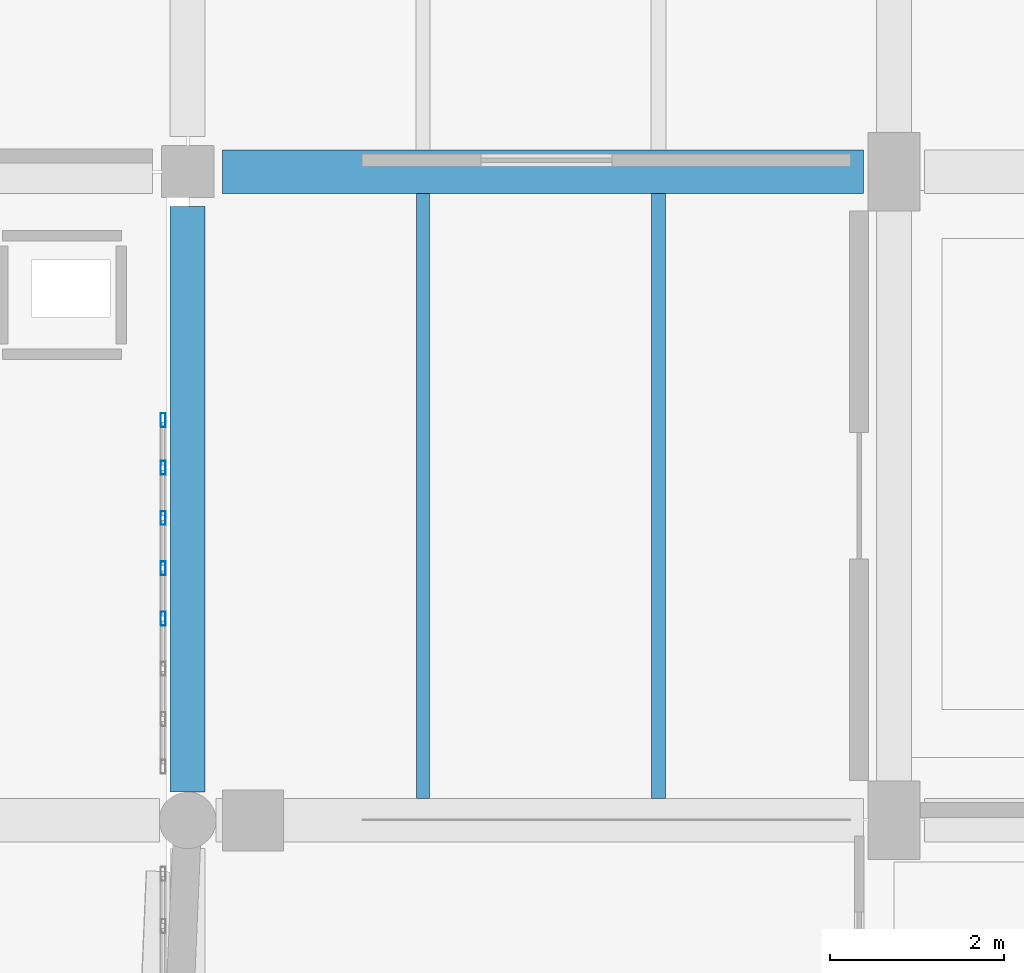
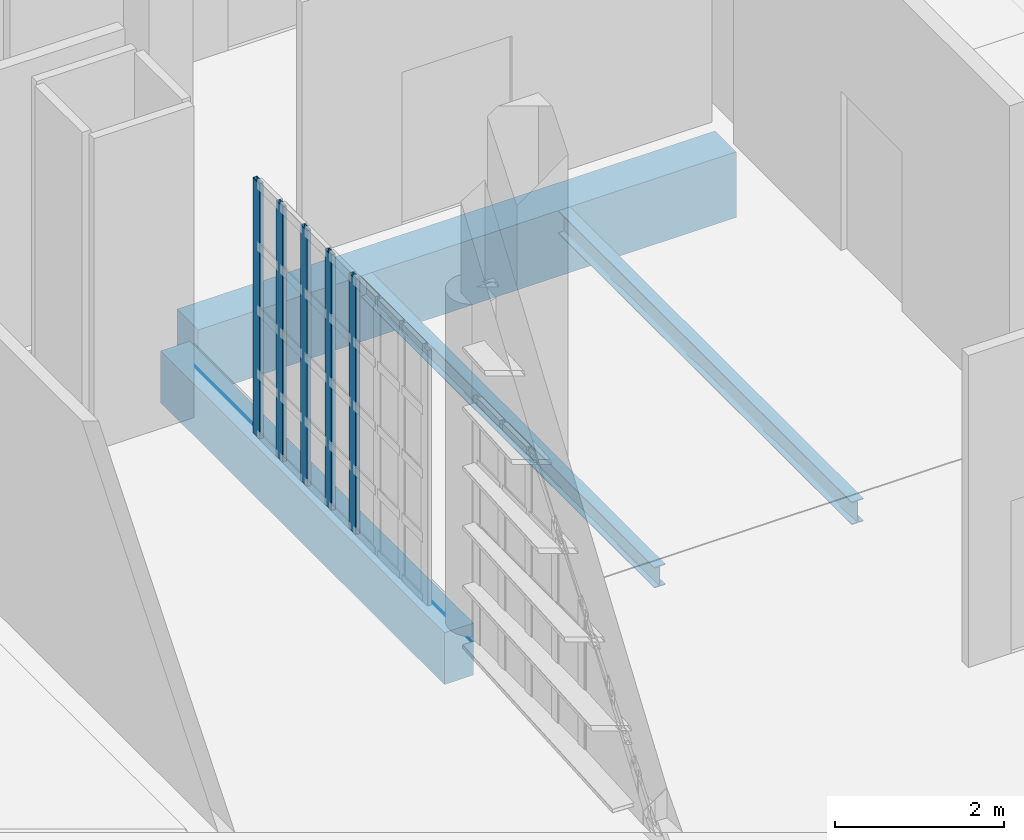
# One storey, part 44 of 104: 5 members, 4 beams, 1 element without a shape of its own.
"""IFC4 building model written with IfcOpenShell, lengths in metres."""

from ifc_helpers import new_model, si_unit, direction, frame, origin, origin_2d, place, context, subcontext, project, spatial, rectangle, hollow_rectangle, i_section, extrude, material, material_profile, profile_set, type_object, element, aggregate, save


model = new_model("IFC4")

# Units and contexts
model_context = context("Model", 3, precision=1e-05, world=origin(), true_north=direction((0.0, 1.0)))
body_context = subcontext(model_context, "Body", "Model", "MODEL_VIEW")
ifc_project = project(units=[si_unit("LENGTHUNIT", "METRE"), si_unit("AREAUNIT", "SQUARE_METRE"), si_unit("VOLUMEUNIT", "CUBIC_METRE"), si_unit("PLANEANGLEUNIT", "RADIAN"), si_unit("MASSUNIT", "GRAM", prefix="KILO")], contexts=[model_context])

# Site, building, storey
site_placement = place(None, origin())
site = spatial("IfcSite", under=ifc_project, at=site_placement, CompositionType="ELEMENT")
building_placement = place(site_placement, origin())
building = spatial("IfcBuilding", under=site, at=building_placement, Name="Kaelora Sail Theatre", CompositionType="ELEMENT")
storey_placement = place(building_placement, frame((0.0, 0.0, 5.39990234375)))
storey = spatial("IfcBuildingStorey", under=building, at=storey_placement, Name="L01", CompositionType="ELEMENT", Elevation=5.39990234375)

# Curtain wall, members
ifc_material_1 = material(Name="Anodised aluminium and solar-control low-E IGU", Category="aluminium")
curtain_wall_type = type_object("IfcCurtainWallType", Name="ARC-CW-CW-PROW", PredefinedType="NOTDEFINED", material=ifc_material_1)
curtain_wall_placement = place(storey_placement, origin())
curtain_wall = element("IfcCurtainWall", 1, at=curtain_wall_placement, inside=storey, type_object=curtain_wall_type, Name="East Interstitial Foyer East Glazed Return L01-03", PredefinedType="NOTDEFINED")
ifc_material_2 = material(Name="Anodised aluminium 6063-T6", Category="aluminium")
ifc_material_profile_1 = material_profile(ifc_material_2, hollow_rectangle(XDim=0.06005859375, YDim=0.159912109375, WallThickness=0.00390625, InnerFilletRadius=0.00390625, OuterFilletRadius=0.008056640625, at=origin_2d()), Name="ALU-MULL 60x160x4")
ifc_profile_set_1 = profile_set([ifc_material_profile_1], Name="Anodised aluminium 6063-T6")
member_type = type_object("IfcMemberType", Name="ARC-MEM-ML-160", PredefinedType="MULLION", material=ifc_profile_set_1)
member_1_placement = place(storey_placement, frame((122.719970703125, 55.894287109375, 0.0), z_axis=(0.0, 0.0, 1.0), x_axis=(-1.0, 0.0, 0.0)))
member_1 = element("IfcMember", 2, at=member_1_placement, type_object=member_type, Name="CW-PROW mullion 4", PredefinedType="MULLION", context=body_context, shape_type="SweptSolid", body=[
    extrude(hollow_rectangle(XDim=0.06005859375, YDim=0.159912109375, WallThickness=0.00390625, InnerFilletRadius=0.00390625, OuterFilletRadius=0.008056640625, at=origin_2d()), origin(), (0.0, 0.0, 1.0), 3.68701171875),
])
member_2_placement = place(storey_placement, frame((122.719970703125, 56.470703125, 0.0), z_axis=(0.0, 0.0, 1.0), x_axis=(-1.0, 0.0, 0.0)))
member_2 = element("IfcMember", 3, at=member_2_placement, type_object=member_type, Name="CW-PROW mullion 5", PredefinedType="MULLION", context=body_context, shape_type="SweptSolid", body=[
    extrude(hollow_rectangle(XDim=0.06005859375, YDim=0.159912109375, WallThickness=0.00390625, InnerFilletRadius=0.00390625, OuterFilletRadius=0.008056640625, at=origin_2d()), origin(), (0.0, 0.0, 1.0), 3.68701171875),
])
member_3_placement = place(storey_placement, frame((122.719970703125, 57.047119140625, 0.0), z_axis=(0.0, 0.0, 1.0), x_axis=(-1.0, 0.0, 0.0)))
member_3 = element("IfcMember", 4, at=member_3_placement, type_object=member_type, Name="CW-PROW mullion 6", PredefinedType="MULLION", context=body_context, shape_type="SweptSolid", body=[
    extrude(hollow_rectangle(XDim=0.06005859375, YDim=0.159912109375, WallThickness=0.00390625, InnerFilletRadius=0.00390625, OuterFilletRadius=0.008056640625, at=origin_2d()), origin(), (0.0, 0.0, 1.0), 3.68701171875),
])
member_4_placement = place(storey_placement, frame((122.719970703125, 57.62353515625, 0.0), z_axis=(0.0, 0.0, 1.0), x_axis=(-1.0, 0.0, 0.0)))
member_4 = element("IfcMember", 5, at=member_4_placement, type_object=member_type, Name="CW-PROW mullion 7", PredefinedType="MULLION", context=body_context, shape_type="SweptSolid", body=[
    extrude(hollow_rectangle(XDim=0.06005859375, YDim=0.159912109375, WallThickness=0.00390625, InnerFilletRadius=0.00390625, OuterFilletRadius=0.008056640625, at=origin_2d()), origin(), (0.0, 0.0, 1.0), 3.68701171875),
])
member_5_placement = place(storey_placement, frame((122.719970703125, 58.169921875, 0.0), z_axis=(0.0, 0.0, 1.0), x_axis=(-1.0, 0.0, 0.0)))
member_5 = element("IfcMember", 6, at=member_5_placement, type_object=member_type, Name="CW-PROW mullion 8", PredefinedType="MULLION", context=body_context, shape_type="SweptSolid", body=[
    extrude(hollow_rectangle(XDim=0.06005859375, YDim=0.159912109375, WallThickness=0.00390625, InnerFilletRadius=0.00390625, OuterFilletRadius=0.008056640625, at=origin_2d()), origin(), (0.0, 0.0, 1.0), 3.68701171875),
])
aggregate(curtain_wall, [member_1, member_2, member_3, member_4, member_5])

# Beams
ifc_material_3 = material(Name="Concrete C40/50", Category="concrete")
ifc_material_profile_2 = material_profile(ifc_material_3, rectangle(XDim=0.39990234375, YDim=0.75, at=origin_2d()), Name="RC-BM 400x750")
ifc_profile_set_2 = profile_set([ifc_material_profile_2], Name="Concrete C40/50")
beam_type_1 = type_object("IfcBeamType", Name="STR-BM-BM-RC4075", PredefinedType="BEAM", material=ifc_profile_set_2)
beam_1_placement = place(storey_placement, frame((123.0, 53.905029296875, -0.669921875), z_axis=(0.0, 1.0, 0.0), x_axis=(-1.0, 0.0, 0.0)))
element("IfcBeam", 7, at=beam_1_placement, inside=storey, type_object=beam_type_1, Name="Primary beam 16 H-I (L01)", PredefinedType="BEAM", context=body_context, shape_type="SweptSolid", body=[
    extrude(rectangle(XDim=0.39990234375, YDim=0.75, at=origin_2d()), origin(), (0.0, 0.0, 1.0), 6.715087890625),
])
ifc_material_4 = material(Name="Concrete C45/55", Category="concrete")
ifc_material_profile_3 = material_profile(ifc_material_4, rectangle(XDim=0.5, YDim=0.949951171875, at=origin_2d()), Name="RC-GRD 500x950")
ifc_profile_set_3 = profile_set([ifc_material_profile_3], Name="Concrete C45/55")
beam_type_2 = type_object("IfcBeamType", Name="STR-BM-GR-RC5095", PredefinedType="T_BEAM", material=ifc_profile_set_3)
beam_2_placement = place(storey_placement, frame((123.39990234375, 61.02001953125, -0.77001953125), z_axis=(1.0, 0.0, 0.0), x_axis=(0.0, 1.0, 0.0)))
element("IfcBeam", 8, at=beam_2_placement, inside=storey, type_object=beam_type_2, Name="Primary beam I 16-17 (L01)", PredefinedType="T_BEAM", context=body_context, shape_type="SweptSolid", body=[
    extrude(rectangle(XDim=0.5, YDim=0.949951171875, at=origin_2d()), origin(), (0.0, 0.0, 1.0), 7.35009765625),
])
ifc_material_5 = material(Name="Steel S355", Category="steel")
ifc_material_profile_4 = material_profile(ifc_material_5, i_section(OverallWidth=0.14990234375, OverallDepth=0.300048828125, WebThickness=0.007080078125, FlangeThickness=0.0107421875, FilletRadius=0.014892578125, at=origin_2d()), Name="IPE 300")
ifc_profile_set_4 = profile_set([ifc_material_profile_4], Name="Steel S355")
beam_type_3 = type_object("IfcBeamType", Name="STR-BM-JS-IPE300", PredefinedType="JOIST", material=ifc_profile_set_4)
beam_3_placement = place(storey_placement, frame((125.699951171875, 53.830078125, -0.44482421875), z_axis=(0.0, 1.0, 0.0), x_axis=(-1.0, 0.0, 0.0)))
element("IfcBeam", 9, at=beam_3_placement, inside=storey, type_object=beam_type_3, Name="Secondary floor joist 16/H-1 (L01)", PredefinedType="JOIST", context=body_context, shape_type="SweptSolid", body=[
    extrude(i_section(OverallWidth=0.14990234375, OverallDepth=0.300048828125, WebThickness=0.007080078125, FlangeThickness=0.0107421875, FilletRadius=0.014892578125, at=origin_2d()), origin(), (0.0, 0.0, 1.0), 6.93994140625),
])
ifc_material_6 = material(Name="Steel S355", Category="steel")
ifc_material_profile_5 = material_profile(ifc_material_6, i_section(OverallWidth=0.159912109375, OverallDepth=0.330078125, WebThickness=0.007568359375, FlangeThickness=0.011474609375, FilletRadius=0.01806640625, at=origin_2d()), Name="IPE 330")
ifc_profile_set_5 = profile_set([ifc_material_profile_5], Name="Steel S355")
beam_type_4 = type_object("IfcBeamType", Name="STR-BM-JS-IPE330", PredefinedType="JOIST", material=ifc_profile_set_5)
beam_4_placement = place(storey_placement, frame((128.39990234375, 53.830078125, -0.4599609375), z_axis=(0.0, 1.0, 0.0), x_axis=(-1.0, 0.0, 0.0)))
element("IfcBeam", 10, at=beam_4_placement, inside=storey, type_object=beam_type_4, Name="Secondary floor joist 16/H-2 (L01)", PredefinedType="JOIST", context=body_context, shape_type="SweptSolid", body=[
    extrude(i_section(OverallWidth=0.159912109375, OverallDepth=0.330078125, WebThickness=0.007568359375, FlangeThickness=0.011474609375, FilletRadius=0.01806640625, at=origin_2d()), origin(), (0.0, 0.0, 1.0), 6.93994140625),
])

save(model, "model.ifc")
